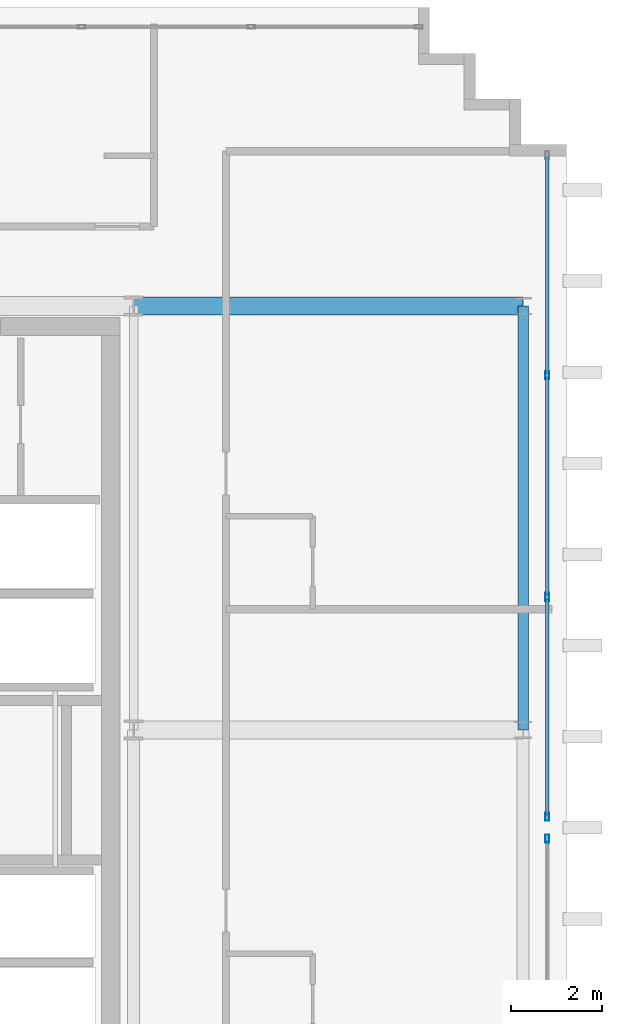
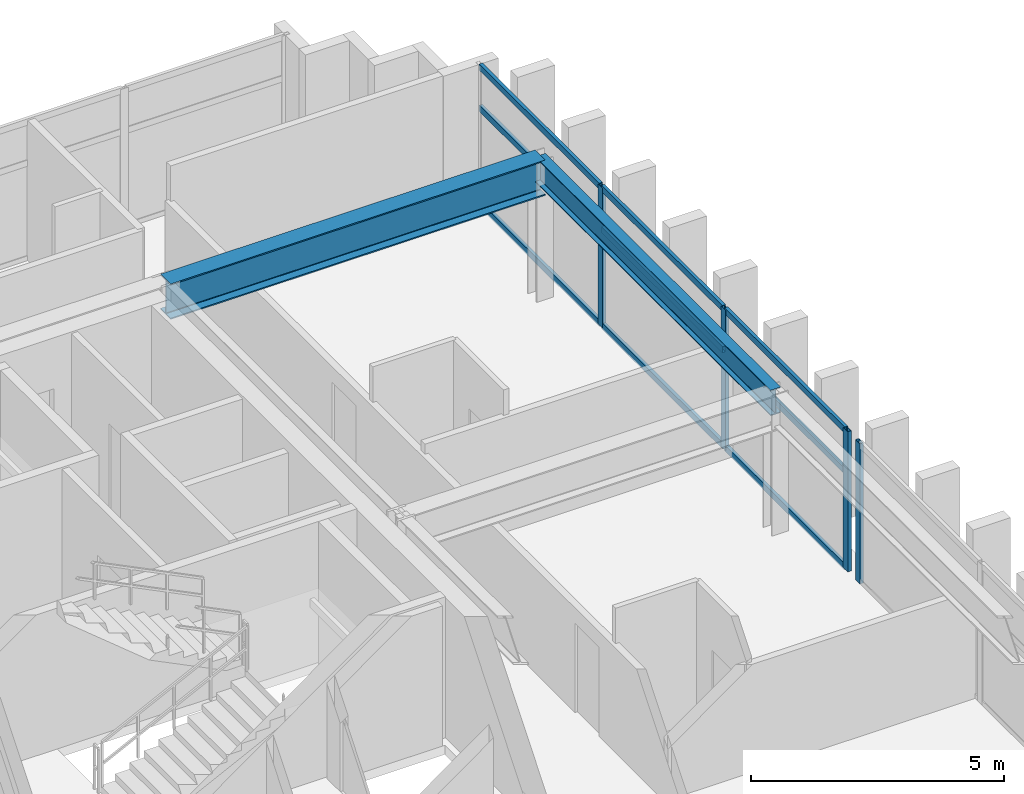
# One storey, part 8 of 15: 13 members, 2 beams, 2 elements without a shape of their own.
"""IFC4 building model written with IfcOpenShell, lengths in metres."""

from ifc_helpers import new_model, si_unit, direction, frame, origin, origin_2d, place, context, subcontext, project, spatial, hollow_rectangle, i_section, extrude, source, transform, mapped, material, layer, layer_set, material_profile, profile_set, type_object, element, aggregate, save


model = new_model("IFC4")

# Units and contexts
model_context = context("Model", 3, precision=1e-05, world=origin(), true_north=direction((0.0, 1.0)))
body_context = subcontext(model_context, "Body", "Model", "MODEL_VIEW")
ifc_project = project(units=[si_unit("LENGTHUNIT", "METRE"), si_unit("AREAUNIT", "SQUARE_METRE"), si_unit("VOLUMEUNIT", "CUBIC_METRE"), si_unit("PLANEANGLEUNIT", "RADIAN"), si_unit("MASSUNIT", "GRAM", prefix="KILO")], contexts=[model_context])

# Site, building, storey
site_placement = place(None, origin())
site = spatial("IfcSite", under=ifc_project, at=site_placement, CompositionType="ELEMENT")
building_placement = place(site_placement, origin())
building = spatial("IfcBuilding", under=site, at=building_placement, Name="Ocotamira Hotel", CompositionType="ELEMENT")
storey_placement = place(building_placement, frame((0.0, 0.0, 279.60009765625)))
storey = spatial("IfcBuildingStorey", under=building, at=storey_placement, Name="L71", CompositionType="ELEMENT", Elevation=279.60009765625)

# Beams
ifc_material_1 = material(Name="Steel ASTM A992 Grade 50", Category="steel")
ifc_material_profile_1 = material_profile(ifc_material_1, i_section(OverallWidth=0.22998046875, OverallDepth=0.616943359375, WebThickness=0.01318359375, FlangeThickness=0.022216796875, FilletRadius=0.012939453125, at=origin_2d()), Name="W24X94")
ifc_profile_set_1 = profile_set([ifc_material_profile_1], Name="Steel ASTM A992 Grade 50")
beam_type_1 = type_object("IfcBeamType", Name="BM-PRIM-W24X94", PredefinedType="BEAM", material=ifc_profile_set_1)
shared_shape_1 = source(origin(), body_context, "Body", "SweptSolid", [
    extrude(i_section(OverallWidth=0.22998046875, OverallDepth=0.616943359375, WebThickness=0.01318359375, FlangeThickness=0.022216796875, FilletRadius=0.012939453125, at=origin_2d()), origin(), (0.0, 0.0, 1.0), 9.300048828125),
])
beam_1_placement = place(storey_placement, frame((32.050048828125, 28.14990234375, 3.0712890625), z_axis=(0.0, 1.0, 0.0), x_axis=(-1.0, 0.0, 0.0)))
element("IfcBeam", 1, at=beam_1_placement, inside=storey, type_object=beam_type_1, Name="L71 Beam X32.05 Y28.15-37.45", PredefinedType="BEAM", context=body_context, shape_type="MappedRepresentation", body=[
    mapped(shared_shape_1, transform((0.0, 0.0, 0.0), scale=1.0)),
])
ifc_material_profile_2 = material_profile(ifc_material_1, i_section(OverallWidth=0.39990234375, OverallDepth=0.85595703125, WebThickness=0.018310546875, FlangeThickness=0.029296875, FilletRadius=0.02001953125, at=origin_2d()), Name="W33X201")
ifc_profile_set_2 = profile_set([ifc_material_profile_2], Name="Steel ASTM A992 Grade 50")
beam_type_2 = type_object("IfcBeamType", Name="BM-GIRD-W33X201", PredefinedType="BEAM", material=ifc_profile_set_2)
shared_shape_2 = source(origin(), body_context, "Body", "SweptSolid", [
    extrude(i_section(OverallWidth=0.39990234375, OverallDepth=0.85595703125, WebThickness=0.018310546875, FlangeThickness=0.029296875, FilletRadius=0.02001953125, at=origin_2d()), origin(), (0.0, 0.0, 1.0), 8.550048828125),
])
beam_2_placement = place(storey_placement, frame((23.5, 37.449951171875, 2.951904296875), z_axis=(1.0, 0.0, 0.0), x_axis=(0.0, 1.0, 0.0)))
element("IfcBeam", 2, at=beam_2_placement, inside=storey, type_object=beam_type_2, Name="L71 Girder Y37.45 X23.5-32.05", PredefinedType="BEAM", context=body_context, shape_type="MappedRepresentation", body=[
    mapped(shared_shape_2, transform((0.0, 0.0, 0.0), scale=1.0)),
])

# Curtain wall, member
ifc_material_2 = material(Name="Anodised pale-metal aluminium and solar glass", Category="aluminium")
ifc_layer = layer(ifc_material_2, 0.2099609375)
ifc_layer_set = layer_set([ifc_layer], Name="Anodised pale-metal aluminium and solar glass")
curtain_wall_type = type_object("IfcCurtainWallType", Name="CW-SYS7-PEAK", PredefinedType="NOTDEFINED", material=ifc_layer_set)
curtain_wall_1_placement = place(storey_placement, origin())
curtain_wall_1 = element("IfcCurtainWall", 3, at=curtain_wall_1_placement, inside=storey, type_object=curtain_wall_type, Name="L71 Curtain Wall CW-7 CW-L71-E1", PredefinedType="NOTDEFINED")
ifc_material_3 = material(Name="Anodised pale-metal aluminium 6063-T6", Category="aluminium")
ifc_material_profile_3 = material_profile(ifc_material_3, hollow_rectangle(XDim=0.080078125, YDim=0.179931640625, WallThickness=0.006103515625, at=origin_2d()), Name="HSS180X80X6")
ifc_profile_set_3 = profile_set([ifc_material_profile_3], Name="Anodised pale-metal aluminium 6063-T6")
member_type_1 = type_object("IfcMemberType", Name="CWM-180X75", PredefinedType="MULLION", material=ifc_profile_set_3)
shared_shape_3 = source(origin(), body_context, "Body", "SweptSolid", [
    extrude(hollow_rectangle(XDim=0.080078125, YDim=0.179931640625, WallThickness=0.006103515625, at=origin_2d()), origin(), (0.0, 0.0, 1.0), 3.3798828125),
])
member_1_placement = place(storey_placement, frame((32.580078125, 25.760009765625, 0.0), z_axis=(0.0, 0.0, 1.0), x_axis=(-1.0, 0.0, 0.0)))
member_1 = element("IfcMember", 4, at=member_1_placement, type_object=member_type_1, Name="CW-7 mullion 4", PredefinedType="MULLION", context=body_context, shape_type="MappedRepresentation", body=[
    mapped(shared_shape_3, transform((0.0, 0.0, 0.0), scale=1.0)),
])
aggregate(curtain_wall_1, [member_1])

# Curtain wall, members
curtain_wall_2_placement = place(storey_placement, origin())
curtain_wall_2 = element("IfcCurtainWall", 5, at=curtain_wall_2_placement, inside=storey, type_object=curtain_wall_type, Name="L71 Curtain Wall CW-7 CW-L71-E2", PredefinedType="NOTDEFINED")
member_2_placement = place(storey_placement, frame((32.580078125, 26.239990234375, 0.0), z_axis=(0.0, 0.0, 1.0), x_axis=(-1.0, 0.0, 0.0)))
member_2 = element("IfcMember", 6, at=member_2_placement, type_object=member_type_1, Name="CW-7 mullion 1", PredefinedType="MULLION", context=body_context, shape_type="MappedRepresentation", body=[
    mapped(shared_shape_3, transform((0.0, 0.0, 0.0), scale=1.0)),
])
member_3_placement = place(storey_placement, frame((32.580078125, 31.066650390625, 0.0), z_axis=(0.0, 0.0, 1.0), x_axis=(-1.0, 0.0, 0.0)))
member_3 = element("IfcMember", 7, at=member_3_placement, type_object=member_type_1, Name="CW-7 mullion 2", PredefinedType="MULLION", context=body_context, shape_type="MappedRepresentation", body=[
    mapped(shared_shape_3, transform((0.0, 0.0, 0.0), scale=1.0)),
])
member_4_placement = place(storey_placement, frame((32.580078125, 35.933349609375, 0.0), z_axis=(0.0, 0.0, 1.0), x_axis=(-1.0, 0.0, 0.0)))
member_4 = element("IfcMember", 8, at=member_4_placement, type_object=member_type_1, Name="CW-7 mullion 3", PredefinedType="MULLION", context=body_context, shape_type="MappedRepresentation", body=[
    mapped(shared_shape_3, transform((0.0, 0.0, 0.0), scale=1.0)),
])
ifc_material_profile_4 = material_profile(ifc_material_3, hollow_rectangle(XDim=0.074951171875, YDim=0.14990234375, WallThickness=0.006103515625, at=origin_2d()), Name="HSS150X75X6")
ifc_profile_set_4 = profile_set([ifc_material_profile_4], Name="Anodised pale-metal aluminium 6063-T6")
member_type_2 = type_object("IfcMemberType", Name="CWT-150X75", PredefinedType="USERDEFINED", material=ifc_profile_set_4)
shared_shape_4 = source(origin(), body_context, "Body", "SweptSolid", [
    extrude(hollow_rectangle(XDim=0.074951171875, YDim=0.14990234375, WallThickness=0.006103515625, at=origin_2d()), origin(), (0.0, 0.0, 1.0), 4.74658203125),
])
member_5_placement = place(storey_placement, frame((32.580078125, 26.280029296875, 0.037353515625), z_axis=(0.0, 1.0, 0.0), x_axis=(-1.0, 0.0, 0.0)))
member_5 = element("IfcMember", 9, at=member_5_placement, type_object=member_type_2, Name="CW-7 transom 1.1", ObjectType="TRANSOM", PredefinedType="USERDEFINED", context=body_context, shape_type="MappedRepresentation", body=[
    mapped(shared_shape_4, transform((0.0, 0.0, 0.0), scale=1.0)),
])
member_6_placement = place(storey_placement, frame((32.580078125, 26.280029296875, 2.349853515625), z_axis=(0.0, 1.0, 0.0), x_axis=(-1.0, 0.0, 0.0)))
member_6 = element("IfcMember", 10, at=member_6_placement, type_object=member_type_2, Name="CW-7 transom 1.2", ObjectType="TRANSOM", PredefinedType="USERDEFINED", context=body_context, shape_type="MappedRepresentation", body=[
    mapped(shared_shape_4, transform((0.0, 0.0, 0.0), scale=1.0)),
])
member_7_placement = place(storey_placement, frame((32.580078125, 26.280029296875, 3.34228515625), z_axis=(0.0, 1.0, 0.0), x_axis=(-1.0, 0.0, 0.0)))
member_7 = element("IfcMember", 11, at=member_7_placement, type_object=member_type_2, Name="CW-7 transom 1.3", ObjectType="TRANSOM", PredefinedType="USERDEFINED", context=body_context, shape_type="MappedRepresentation", body=[
    mapped(shared_shape_4, transform((0.0, 0.0, 0.0), scale=1.0)),
])
member_8_placement = place(storey_placement, frame((32.580078125, 35.973388671875, 0.037353515625), z_axis=(0.0, 1.0, 0.0), x_axis=(-1.0, 0.0, 0.0)))
member_8 = element("IfcMember", 12, at=member_8_placement, type_object=member_type_2, Name="CW-7 transom 3.1", ObjectType="TRANSOM", PredefinedType="USERDEFINED", context=body_context, shape_type="MappedRepresentation", body=[
    mapped(shared_shape_4, transform((0.0, 0.0, 0.0), scale=1.0)),
])
member_9_placement = place(storey_placement, frame((32.580078125, 35.973388671875, 2.349853515625), z_axis=(0.0, 1.0, 0.0), x_axis=(-1.0, 0.0, 0.0)))
member_9 = element("IfcMember", 13, at=member_9_placement, type_object=member_type_2, Name="CW-7 transom 3.2", ObjectType="TRANSOM", PredefinedType="USERDEFINED", context=body_context, shape_type="MappedRepresentation", body=[
    mapped(shared_shape_4, transform((0.0, 0.0, 0.0), scale=1.0)),
])
member_10_placement = place(storey_placement, frame((32.580078125, 35.973388671875, 3.34228515625), z_axis=(0.0, 1.0, 0.0), x_axis=(-1.0, 0.0, 0.0)))
member_10 = element("IfcMember", 14, at=member_10_placement, type_object=member_type_2, Name="CW-7 transom 3.3", ObjectType="TRANSOM", PredefinedType="USERDEFINED", context=body_context, shape_type="MappedRepresentation", body=[
    mapped(shared_shape_4, transform((0.0, 0.0, 0.0), scale=1.0)),
])
shared_shape_5 = source(origin(), body_context, "Body", "SweptSolid", [
    extrude(hollow_rectangle(XDim=0.074951171875, YDim=0.14990234375, WallThickness=0.006103515625, at=origin_2d()), origin(), (0.0, 0.0, 1.0), 4.78662109375),
])
member_11_placement = place(storey_placement, frame((32.580078125, 31.106689453125, 0.037353515625), z_axis=(0.0, 1.0, 0.0), x_axis=(-1.0, 0.0, 0.0)))
member_11 = element("IfcMember", 15, at=member_11_placement, type_object=member_type_2, Name="CW-7 transom 2.1", ObjectType="TRANSOM", PredefinedType="USERDEFINED", context=body_context, shape_type="MappedRepresentation", body=[
    mapped(shared_shape_5, transform((0.0, 0.0, 0.0), scale=1.0)),
])
member_12_placement = place(storey_placement, frame((32.580078125, 31.106689453125, 2.349853515625), z_axis=(0.0, 1.0, 0.0), x_axis=(-1.0, 0.0, 0.0)))
member_12 = element("IfcMember", 16, at=member_12_placement, type_object=member_type_2, Name="CW-7 transom 2.2", ObjectType="TRANSOM", PredefinedType="USERDEFINED", context=body_context, shape_type="MappedRepresentation", body=[
    mapped(shared_shape_5, transform((0.0, 0.0, 0.0), scale=1.0)),
])
member_13_placement = place(storey_placement, frame((32.580078125, 31.106689453125, 3.34228515625), z_axis=(0.0, 1.0, 0.0), x_axis=(-1.0, 0.0, 0.0)))
member_13 = element("IfcMember", 17, at=member_13_placement, type_object=member_type_2, Name="CW-7 transom 2.3", ObjectType="TRANSOM", PredefinedType="USERDEFINED", context=body_context, shape_type="MappedRepresentation", body=[
    mapped(shared_shape_5, transform((0.0, 0.0, 0.0), scale=1.0)),
])
aggregate(curtain_wall_2, [member_2, member_3, member_4, member_5, member_6, member_7, member_11, member_12, member_13, member_8, member_9, member_10])

save(model, "model.ifc")
